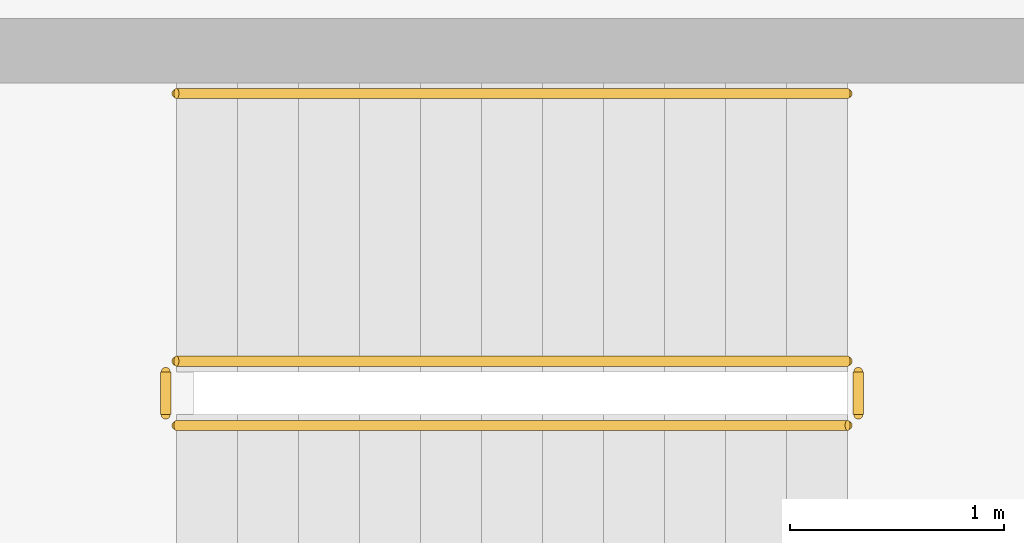
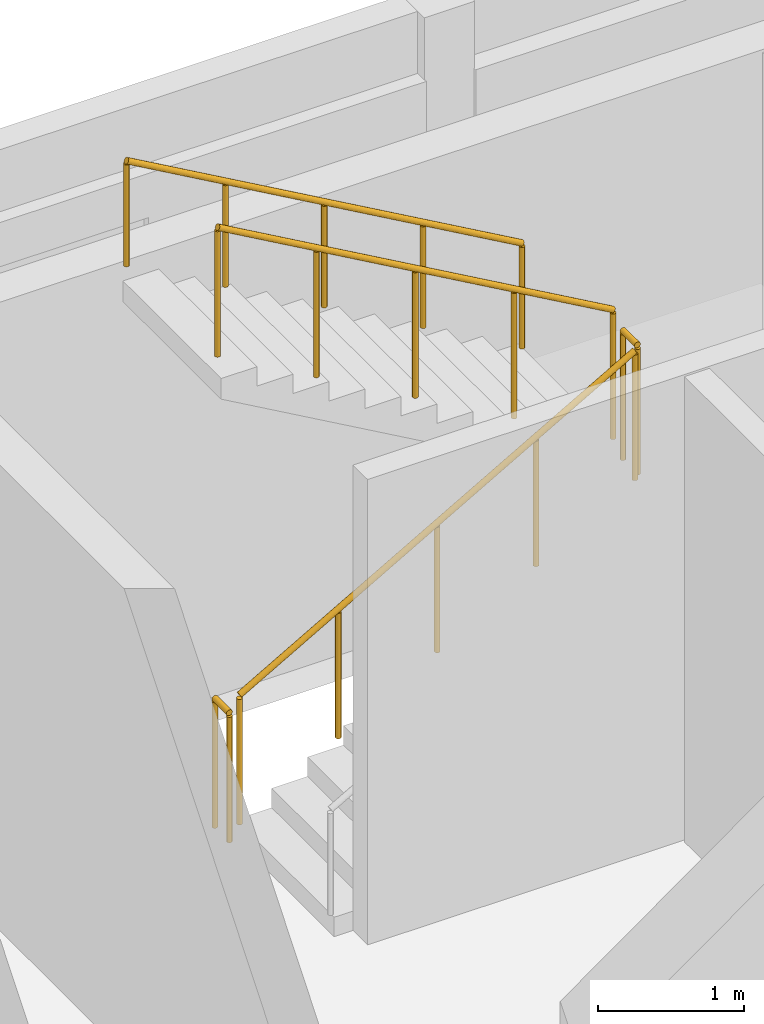
# One storey, part 11 of 12: 5 railings.
"""IFC4 building model written with IfcOpenShell, lengths in metres."""

import ifcopenshell
import ifcopenshell.guid

model = None  # the IFC model being written
_history = None  # IfcOwnerHistory: only IFC2X3 demands one
_inside = {}  # id of a spatial element -> (the spatial element, [elements in it])
_under = {}  # id of a project, library or spatial element -> (it, [spatial elements below it])
_declared = {}  # id of a project -> (the project, [libraries it declares])
_typed = {}  # id of a type object -> (the type object, [elements of that type])
_made_of = {}  # id of a material, layer set ... -> (it, [elements and type objects made of it])


def new_model(schema):
    """Start an empty IFC model of exactly this schema.

    Asked for "IFC4X3", IfcOpenShell would pick the latest addendum, in which some entities
    have other attributes; the version numbers below select the first issue.
    IFC2X3 requires an IfcOwnerHistory on every rooted entity: one is made here for all.
    """
    global model, _history
    if schema == "IFC4X3":
        model = ifcopenshell.file(schema_version=(4, 3, 0, 0))
    else:
        model = ifcopenshell.file(schema=schema)
    _inside.clear()
    _under.clear()
    _declared.clear()
    _typed.clear()
    _made_of.clear()
    _history = None
    if model.schema == "IFC2X3":
        org = make("IfcOrganization", Name="unknown")
        user = make(
            "IfcPersonAndOrganization",
            ThePerson=make("IfcPerson", FamilyName="unknown"),
            TheOrganization=org,
        )
        app = make(
            "IfcApplication",
            ApplicationDeveloper=org,
            Version="unknown",
            ApplicationFullName="unknown",
            ApplicationIdentifier="unknown",
        )
        _history = make(
            "IfcOwnerHistory",
            OwningUser=user,
            OwningApplication=app,
            ChangeAction="ADDED",
            CreationDate=0,
        )
    return model


def make(cls, **values):
    """One entity of the class cls with the attributes given. An attribute that is None is left unset."""
    return model.create_entity(
        cls, **{name: value for name, value in values.items() if value is not None}
    )


def rooted(cls, **values):
    """An entity with a GlobalId (a new one), such as an element, a storey or a relation."""
    return make(cls, GlobalId=ifcopenshell.guid.new(), OwnerHistory=_history, **values)


def si_unit(unit_type, name, prefix=None):
    """IfcSIUnit, for example si_unit("LENGTHUNIT", "METRE", prefix="MILLI")."""
    return make("IfcSIUnit", UnitType=unit_type, Prefix=prefix, Name=name)


def assignment(units):
    """IfcUnitAssignment: the units of a project."""
    return None if units is None else make("IfcUnitAssignment", Units=units)


def point(xyz):
    """IfcCartesianPoint."""
    return None if xyz is None else make("IfcCartesianPoint", Coordinates=xyz)


def direction(xyz):
    """IfcDirection."""
    return None if xyz is None else make("IfcDirection", DirectionRatios=xyz)


def frame(location, z_axis=None, x_axis=None):
    """IfcAxis2Placement3D, a coordinate frame: its origin and axes. An axis left out is left unset."""
    return make(
        "IfcAxis2Placement3D",
        Location=point(location),
        Axis=direction(z_axis),
        RefDirection=direction(x_axis),
    )


def frame_2d(location, x_axis=None):
    """IfcAxis2Placement2D, a coordinate frame in the plane: its origin and x axis."""
    return make(
        "IfcAxis2Placement2D", Location=point(location), RefDirection=direction(x_axis)
    )


def origin():
    """The frame at (0, 0, 0) with its axes left unset."""
    return frame((0.0, 0.0, 0.0))


def origin_2d():
    """The frame at (0, 0) in the plane with its x axis left unset."""
    return frame_2d((0.0, 0.0))


def place(relative_to, where):
    """IfcLocalPlacement: puts the frame where relative to a parent placement (None: the world)."""
    return make(
        "IfcLocalPlacement", PlacementRelTo=relative_to, RelativePlacement=where
    )


def context(
    kind, dimensions, precision=None, world=None, true_north=None, identifier=None
):
    """IfcGeometricRepresentationContext, for example the 3D "Model" context."""
    return make(
        "IfcGeometricRepresentationContext",
        ContextIdentifier=identifier,
        ContextType=kind,
        CoordinateSpaceDimension=dimensions,
        Precision=precision,
        WorldCoordinateSystem=world,
        TrueNorth=true_north,
    )


def subcontext(parent, identifier, kind, view, scale=None):
    """IfcGeometricRepresentationSubContext, for example "Body" below "Model"."""
    return make(
        "IfcGeometricRepresentationSubContext",
        ContextIdentifier=identifier,
        ContextType=kind,
        ParentContext=parent,
        TargetScale=scale,
        TargetView=view,
    )


def project(units=None, contexts=None):
    """IfcProject with its units and contexts."""
    return rooted(
        "IfcProject",
        Name="project",
        RepresentationContexts=contexts,
        UnitsInContext=assignment(units),
    )


def spatial(cls, under=None, at=None, **own):
    """A site, building, storey or space (cls), placed at a placement, below another one or the project."""
    s = rooted(cls, ObjectPlacement=at, **own)
    if under is not None:
        _under.setdefault(under.id(), (under, []))[1].append(s)
    return s


def profile(cls, at=None, kind="AREA", **sizes):
    """A parametric profile (cls). Its sizes go by their IFC names, for example OverallWidth=200.0."""
    return make(cls, ProfileType=kind, Position=at, **sizes)


def circle(**sizes):
    """IfcCircleProfileDef."""
    return profile("IfcCircleProfileDef", **sizes)


def extrude(swept, where, along, depth):
    """IfcExtrudedAreaSolid: the profile swept, set in the frame where, extruded along a direction by depth."""
    return make(
        "IfcExtrudedAreaSolid",
        SweptArea=swept,
        Position=where,
        ExtrudedDirection=direction(along),
        Depth=depth,
    )


def shape(context_of_items, identifier, shape_type, items):
    """IfcShapeRepresentation: the items that make up one representation, for example the "Body"."""
    return make(
        "IfcShapeRepresentation",
        ContextOfItems=context_of_items,
        RepresentationIdentifier=identifier,
        RepresentationType=shape_type,
        Items=items,
    )


def material(Name=None, Category=None):
    """IfcMaterial."""
    return make("IfcMaterial", Name=Name, Category=Category)


def made_of(thing, what):
    """Note that an element or type object is made of a material, layer set ...; save() writes the relation."""
    if what is not None:
        _made_of.setdefault(what.id(), (what, []))[1].append(thing)
    return thing


def type_object(cls, material=None, **own):
    """A type object (cls), such as IfcWallType, which elements share."""
    return made_of(rooted(cls, **own), material)


def element(
    cls,
    number,
    at=None,
    inside=None,
    cuts=None,
    type_object=None,
    material=None,
    context=None,
    identifier="Body",
    shape_type=None,
    held_by="IfcProductDefinitionShape",
    body=None,
    shapes=None,
    **own,
):
    """One element of the class cls, such as IfcWall. Its Tag is "e" and its number.

    at: its placement. inside: the storey or other place that contains it. cuts: it is an
    opening in that element (IfcRelVoidsElement). A single representation is given by context,
    identifier, shape_type and body (its items); several are given by shapes. held_by: the class
    of the entity that holds the representations. save() writes the other relations.
    """
    e = rooted(cls, Tag="e%d" % number, ObjectPlacement=at, **own)
    if body is not None:
        shapes = [shape(context, identifier, shape_type, body)]
    if shapes is not None:
        e.Representation = make(held_by, Representations=shapes)
    if inside is not None:
        _inside.setdefault(inside.id(), (inside, []))[1].append(e)
    if cuts is not None:
        rooted(
            "IfcRelVoidsElement", RelatingBuildingElement=cuts, RelatedOpeningElement=e
        )
    if type_object is not None:
        _typed.setdefault(type_object.id(), (type_object, []))[1].append(e)
    return made_of(e, material)


def aggregate(whole, parts):
    """IfcRelAggregates: a whole, such as a stair, and the parts it consists of."""
    return rooted("IfcRelAggregates", RelatingObject=whole, RelatedObjects=parts)


def save(model, path):
    """Write the relations noted so far, then the file.

    IfcRelAggregates (storeys below a building ...), IfcRelContainedInSpatialStructure (elements
    in a storey), IfcRelDefinesByType, IfcRelAssociatesMaterial and IfcRelDeclares: one each for
    every whole, place, type object, material and project.
    """
    for whole, parts in _under.values():
        aggregate(whole, parts)
    for where, things in _inside.values():
        rooted(
            "IfcRelContainedInSpatialStructure",
            RelatedElements=things,
            RelatingStructure=where,
        )
    for kind, things in _typed.values():
        rooted("IfcRelDefinesByType", RelatedObjects=things, RelatingType=kind)
    for what, things in _made_of.values():
        rooted("IfcRelAssociatesMaterial", RelatedObjects=things, RelatingMaterial=what)
    for by, libraries in _declared.values():
        rooted("IfcRelDeclares", RelatingContext=by, RelatedDefinitions=libraries)
    model.write(path)


model = new_model("IFC4")

# Units and contexts
model_context = context("Model", 3, precision=1e-05, world=origin(), true_north=direction((0.0, 1.0)))
body_context = subcontext(model_context, "Body", "Model", "MODEL_VIEW")
ifc_project = project(units=[si_unit("LENGTHUNIT", "METRE"), si_unit("AREAUNIT", "SQUARE_METRE"), si_unit("VOLUMEUNIT", "CUBIC_METRE"), si_unit("PLANEANGLEUNIT", "RADIAN"), si_unit("MASSUNIT", "GRAM", prefix="KILO")], contexts=[model_context])

# Site, building, storey
site_placement = place(None, origin())
site = spatial("IfcSite", under=ifc_project, at=site_placement, CompositionType="ELEMENT")
building_placement = place(site_placement, origin())
building = spatial("IfcBuilding", under=site, at=building_placement, Name="Bramvelor Terrace Health Centre", CompositionType="ELEMENT")
storey_placement = place(building_placement, frame((0.0, 0.0, 17.699951171875)))
storey = spatial("IfcBuildingStorey", under=building, at=storey_placement, Name="L05", CompositionType="ELEMENT", Elevation=17.699951171875)

# Railings
ifc_material_1 = material(Name="Painted galvanized steel", Category="steel")
railing_type_1 = type_object("IfcRailingType", Name="RLG-GD-1100", PredefinedType="GUARDRAIL", material=ifc_material_1)
railing_1_placement = place(storey_placement, frame((3.60009765625, 111.64990234375, 0.16259765625)))
element("IfcRailing", 1, at=railing_1_placement, inside=storey, type_object=railing_type_1, Name="L05 ST-1 stair guard 1", PredefinedType="GUARDRAIL", context=body_context, shape_type="SweptSolid", body=[
    extrude(circle(Radius=0.02392578125, at=origin_2d()), frame((0.0, 0.0, 1.076171875), z_axis=(0.868729823959, 0.0, 0.495286273749), x_axis=(0.0, 1.0, 0.0)), (0.0, 0.0, 1.0), 3.608642578125),
    extrude(circle(Radius=0.02099609375, at=origin_2d()), origin(), (0.0, 0.0, 1.0), 1.052001953125),
    extrude(circle(Radius=0.02099609375, at=origin_2d()), frame((0.78369140625, 0.0, 0.44677734375)), (0.0, 0.0, 1.0), 1.052001953125),
    extrude(circle(Radius=0.02099609375, at=origin_2d()), frame((1.5673828125, 0.0, 0.8935546875)), (0.0, 0.0, 1.0), 1.052001953125),
    extrude(circle(Radius=0.02099609375, at=origin_2d()), frame((2.351318359375, 0.0, 1.340576171875)), (0.0, 0.0, 1.0), 1.052001953125),
    extrude(circle(Radius=0.02099609375, at=origin_2d()), frame((3.135009765625, 0.0, 1.787353515625)), (0.0, 0.0, 1.0), 1.052001953125),
])
railing_2_placement = place(storey_placement, frame((6.784912109375, 111.699951171875, 1.949951171875)))
element("IfcRailing", 2, at=railing_2_placement, inside=storey, type_object=railing_type_1, Name="L05 ST-1 stair guard 2", PredefinedType="GUARDRAIL", context=body_context, shape_type="SweptSolid", body=[
    extrude(circle(Radius=0.02392578125, at=origin_2d()), frame((0.0, 0.0, 1.076171875), z_axis=(0.0, 1.0, 0.0), x_axis=(-1.0, 0.0, 0.0)), (0.0, 0.0, 1.0), 0.199951171875),
    extrude(circle(Radius=0.02099609375, at=origin_2d()), origin(), (0.0, 0.0, 1.0), 1.052001953125),
    extrude(circle(Radius=0.02099609375, at=origin_2d()), frame((0.0, 0.199951171875, 0.0)), (0.0, 0.0, 1.0), 1.052001953125),
])
railing_3_placement = place(storey_placement, frame((6.735107421875, 111.949951171875, 2.112548828125)))
element("IfcRailing", 3, at=railing_3_placement, inside=storey, type_object=railing_type_1, Name="L05 ST-1 stair guard 3", PredefinedType="GUARDRAIL", context=body_context, shape_type="SweptSolid", body=[
    extrude(circle(Radius=0.02392578125, at=origin_2d()), frame((0.0, 0.0, 1.076171875), z_axis=(-0.86870071446, 0.0, 0.495337328189), x_axis=(0.0, -1.0, 0.0)), (0.0, 0.0, 1.0), 3.60888671875),
    extrude(circle(Radius=0.02099609375, at=origin_2d()), origin(), (0.0, 0.0, 1.0), 1.052001953125),
    extrude(circle(Radius=0.02099609375, at=origin_2d()), frame((-0.78369140625, 0.0, 0.44677734375)), (0.0, 0.0, 1.0), 1.052001953125),
    extrude(circle(Radius=0.02099609375, at=origin_2d()), frame((-1.5673828125, 0.0, 0.893798828125)), (0.0, 0.0, 1.0), 1.052001953125),
    extrude(circle(Radius=0.02099609375, at=origin_2d()), frame((-2.351318359375, 0.0, 1.3408203125)), (0.0, 0.0, 1.0), 1.052001953125),
    extrude(circle(Radius=0.02099609375, at=origin_2d()), frame((-3.135009765625, 0.0, 1.78759765625)), (0.0, 0.0, 1.0), 1.052001953125),
])
railing_4_placement = place(storey_placement, frame((3.550048828125, 111.699951171875, 0.0)))
element("IfcRailing", 4, at=railing_4_placement, inside=storey, type_object=railing_type_1, Name="L05 ST-1 stair guard 4", PredefinedType="GUARDRAIL", context=body_context, shape_type="SweptSolid", body=[
    extrude(circle(Radius=0.02392578125, at=origin_2d()), frame((0.0, 0.0, 1.076171875), z_axis=(0.0, 1.0, 0.0), x_axis=(-1.0, 0.0, 0.0)), (0.0, 0.0, 1.0), 0.199951171875),
    extrude(circle(Radius=0.02099609375, at=origin_2d()), origin(), (0.0, 0.0, 1.0), 1.052001953125),
    extrude(circle(Radius=0.02099609375, at=origin_2d()), frame((0.0, 0.199951171875, 0.0)), (0.0, 0.0, 1.0), 1.052001953125),
])
ifc_material_2 = material(Name="Brushed stainless steel 316", Category="steel")
railing_type_2 = type_object("IfcRailingType", Name="RLG-HR-900", PredefinedType="HANDRAIL", material=ifc_material_2)
railing_5_placement = place(storey_placement, frame((6.735107421875, 113.199951171875, 2.112548828125)))
element("IfcRailing", 5, at=railing_5_placement, inside=storey, type_object=railing_type_2, Name="L05 ST-1 stair handrail 2", PredefinedType="HANDRAIL", context=body_context, shape_type="SweptSolid", body=[
    extrude(circle(Radius=0.02392578125, at=origin_2d()), frame((0.0, 0.0, 0.8759765625), z_axis=(-0.86870071446, 0.0, 0.495337328189), x_axis=(0.0, -1.0, 0.0)), (0.0, 0.0, 1.0), 3.60888671875),
    extrude(circle(Radius=0.02099609375, at=origin_2d()), origin(), (0.0, 0.0, 1.0), 0.851806640625),
    extrude(circle(Radius=0.02099609375, at=origin_2d()), frame((-0.78369140625, 0.0, 0.44677734375)), (0.0, 0.0, 1.0), 0.851806640625),
    extrude(circle(Radius=0.02099609375, at=origin_2d()), frame((-1.5673828125, 0.0, 0.893798828125)), (0.0, 0.0, 1.0), 0.851806640625),
    extrude(circle(Radius=0.02099609375, at=origin_2d()), frame((-2.351318359375, 0.0, 1.3408203125)), (0.0, 0.0, 1.0), 0.851806640625),
    extrude(circle(Radius=0.02099609375, at=origin_2d()), frame((-3.135009765625, 0.0, 1.78759765625)), (0.0, 0.0, 1.0), 0.851806640625),
])

save(model, "model.ifc")
